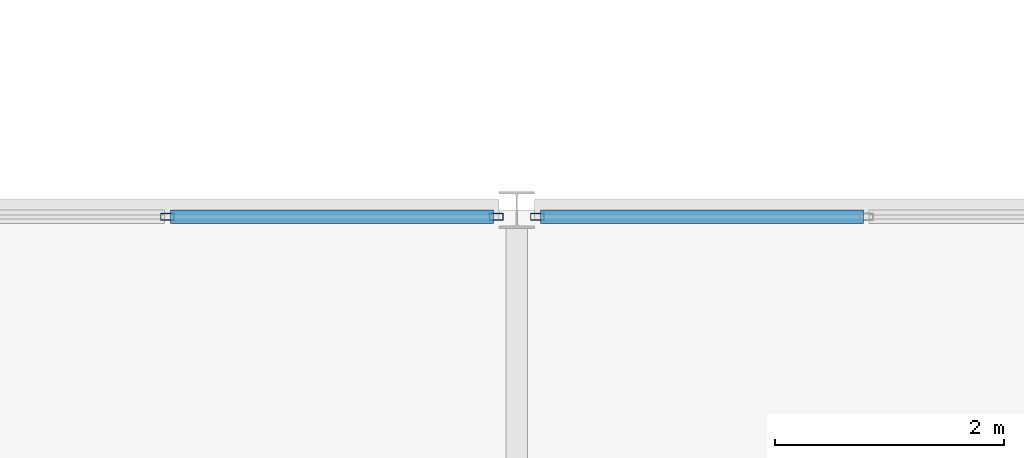
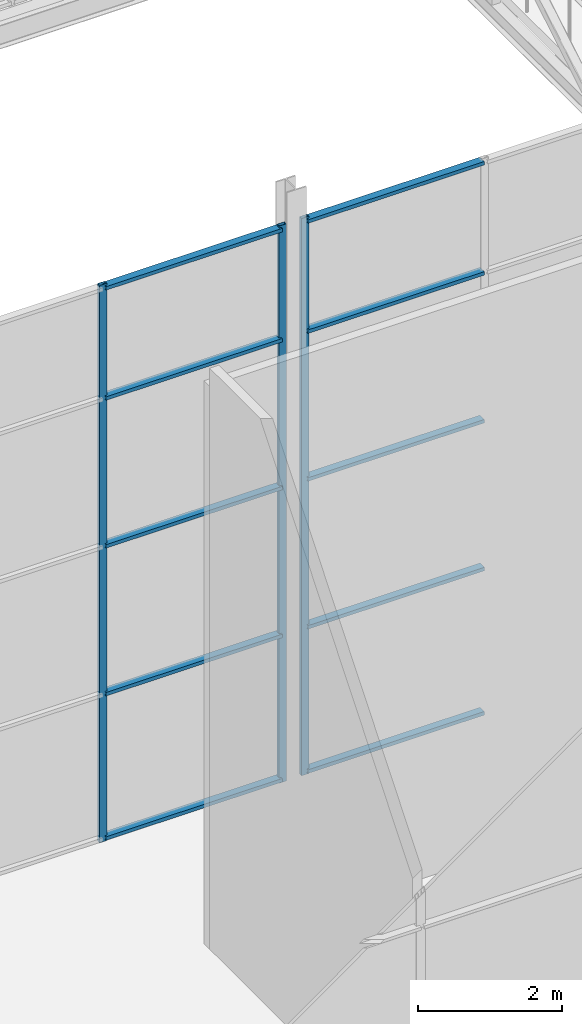
# One storey, part 17 of 111: 13 members, 2 elements without a shape of their own.
"""IFC4 building model written with IfcOpenShell, lengths in metres."""

from ifc_helpers import new_model, si_unit, direction, frame, origin, origin_2d, place, context, subcontext, project, spatial, hollow_rectangle, extrude, material, layer, layer_set, material_profile, profile_set, type_object, element, aggregate, save


model = new_model("IFC4")

# Units and contexts
model_context = context("Model", 3, precision=1e-05, world=origin(), true_north=direction((0.0, 1.0)))
body_context = subcontext(model_context, "Body", "Model", "MODEL_VIEW")
ifc_project = project(units=[si_unit("LENGTHUNIT", "METRE"), si_unit("AREAUNIT", "SQUARE_METRE"), si_unit("VOLUMEUNIT", "CUBIC_METRE"), si_unit("PLANEANGLEUNIT", "RADIAN"), si_unit("MASSUNIT", "GRAM", prefix="KILO")], contexts=[model_context])

# Site, building, storey
site_placement = place(None, origin())
site = spatial("IfcSite", under=ifc_project, at=site_placement, CompositionType="ELEMENT")
building_placement = place(site_placement, origin())
building = spatial("IfcBuilding", under=site, at=building_placement, Name="Shorebreak Coast Museum", CompositionType="ELEMENT")
storey_placement = place(building_placement, frame((0.0, 0.0, 16.0)))
storey = spatial("IfcBuildingStorey", under=building, at=storey_placement, Name="L03", CompositionType="ELEMENT", Elevation=16.0)

# Curtain wall, members
ifc_material_1 = material(Name="Aluminium", Category="aluminium")
ifc_layer = layer(ifc_material_1, 0.1201171875)
ifc_layer_set = layer_set([ifc_layer], Name="Aluminium")
curtain_wall_type = type_object("IfcCurtainWallType", Name="Atrium fire screen", PredefinedType="NOTDEFINED", material=ifc_layer_set)
curtain_wall_1_placement = place(storey_placement, origin())
curtain_wall_1 = element("IfcCurtainWall", 1, at=curtain_wall_1_placement, inside=storey, type_object=curtain_wall_type, Name="Atrium screen L03 S 33", PredefinedType="NOTDEFINED")
ifc_material_2 = material(Name="Aluminium", Category="aluminium")
ifc_material_profile_1 = material_profile(ifc_material_2, hollow_rectangle(XDim=0.06005859375, YDim=0.1201171875, WallThickness=0.00341796875, at=origin_2d()), Name="AL 120x60 RHS")
ifc_profile_set_1 = profile_set([ifc_material_profile_1], Name="Aluminium")
member_type_1 = type_object("IfcMemberType", Name="Screen mullion 50 x 120", PredefinedType="MULLION", material=ifc_profile_set_1)
member_1_placement = place(storey_placement, frame((68.948486328125, 62.93994140625, 0.0), z_axis=(0.0, 0.0, 1.0), x_axis=(0.0, 1.0, 0.0)))
member_1 = element("IfcMember", 2, at=member_1_placement, type_object=member_type_1, Name="CW4 mullion 3", PredefinedType="MULLION", context=body_context, shape_type="SweptSolid", body=[
    extrude(hollow_rectangle(XDim=0.06005859375, YDim=0.1201171875, WallThickness=0.00341796875, at=origin_2d()), origin(), (0.0, 0.0, 1.0), 9.42236328125),
])
member_2_placement = place(storey_placement, frame((71.820556640625, 62.93994140625, 0.0), z_axis=(0.0, 0.0, 1.0), x_axis=(0.0, 1.0, 0.0)))
member_2 = element("IfcMember", 3, at=member_2_placement, type_object=member_type_1, Name="CW4 mullion 4", PredefinedType="MULLION", context=body_context, shape_type="SweptSolid", body=[
    extrude(hollow_rectangle(XDim=0.06005859375, YDim=0.1201171875, WallThickness=0.00341796875, at=origin_2d()), origin(), (0.0, 0.0, 1.0), 9.42236328125),
])

# Curtain wall, member
curtain_wall_2_placement = place(storey_placement, origin())
curtain_wall_2 = element("IfcCurtainWall", 4, at=curtain_wall_2_placement, inside=storey, type_object=curtain_wall_type, Name="Atrium screen L03 S 34", PredefinedType="NOTDEFINED")
member_3_placement = place(storey_placement, frame((72.179443359375, 62.93994140625, 0.0), z_axis=(0.0, 0.0, 1.0), x_axis=(0.0, 1.0, 0.0)))
member_3 = element("IfcMember", 5, at=member_3_placement, type_object=member_type_1, Name="CW5 mullion 1", PredefinedType="MULLION", context=body_context, shape_type="SweptSolid", body=[
    extrude(hollow_rectangle(XDim=0.06005859375, YDim=0.1201171875, WallThickness=0.00341796875, at=origin_2d()), origin(), (0.0, 0.0, 1.0), 9.42236328125),
])

# Member
ifc_material_3 = material(Name="Aluminium", Category="aluminium")
ifc_material_profile_2 = material_profile(ifc_material_3, hollow_rectangle(XDim=0.1201171875, YDim=0.06005859375, WallThickness=0.00341796875, at=origin_2d()), Name="AL 60x120 RHS")
ifc_profile_set_2 = profile_set([ifc_material_profile_2], Name="Aluminium")
member_type_2 = type_object("IfcMemberType", Name="Screen transom 120 x 50", PredefinedType="USERDEFINED", material=ifc_profile_set_2)
member_4_placement = place(storey_placement, frame((68.973388671875, 62.93994140625, 0.06005859375), z_axis=(1.0, 0.0, 0.0), x_axis=(0.0, 1.0, 0.0)))
member_4 = element("IfcMember", 6, at=member_4_placement, type_object=member_type_2, Name="CW4 transom 3.1", ObjectType="TRANSOM", PredefinedType="USERDEFINED", context=body_context, shape_type="SweptSolid", body=[
    extrude(hollow_rectangle(XDim=0.1201171875, YDim=0.06005859375, WallThickness=0.00341796875, at=origin_2d()), origin(), (0.0, 0.0, 1.0), 2.822021484375),
])

member_5_placement = place(storey_placement, frame((68.973388671875, 62.93994140625, 2.5), z_axis=(1.0, 0.0, 0.0), x_axis=(0.0, 1.0, 0.0)))
member_5 = element("IfcMember", 7, at=member_5_placement, type_object=member_type_2, Name="CW4 transom 3.2", ObjectType="TRANSOM", PredefinedType="USERDEFINED", context=body_context, shape_type="SweptSolid", body=[
    extrude(hollow_rectangle(XDim=0.1201171875, YDim=0.06005859375, WallThickness=0.00341796875, at=origin_2d()), origin(), (0.0, 0.0, 1.0), 2.822021484375),
])

member_6_placement = place(storey_placement, frame((68.973388671875, 62.93994140625, 5.0), z_axis=(1.0, 0.0, 0.0), x_axis=(0.0, 1.0, 0.0)))
member_6 = element("IfcMember", 8, at=member_6_placement, type_object=member_type_2, Name="CW4 transom 3.3", ObjectType="TRANSOM", PredefinedType="USERDEFINED", context=body_context, shape_type="SweptSolid", body=[
    extrude(hollow_rectangle(XDim=0.1201171875, YDim=0.06005859375, WallThickness=0.00341796875, at=origin_2d()), origin(), (0.0, 0.0, 1.0), 2.822021484375),
])

member_7_placement = place(storey_placement, frame((68.973388671875, 62.93994140625, 7.5), z_axis=(1.0, 0.0, 0.0), x_axis=(0.0, 1.0, 0.0)))
member_7 = element("IfcMember", 9, at=member_7_placement, type_object=member_type_2, Name="CW4 transom 3.4", ObjectType="TRANSOM", PredefinedType="USERDEFINED", context=body_context, shape_type="SweptSolid", body=[
    extrude(hollow_rectangle(XDim=0.1201171875, YDim=0.06005859375, WallThickness=0.00341796875, at=origin_2d()), origin(), (0.0, 0.0, 1.0), 2.822021484375),
])

member_8_placement = place(storey_placement, frame((68.973388671875, 62.93994140625, 9.3623046875), z_axis=(1.0, 0.0, 0.0), x_axis=(0.0, 1.0, 0.0)))
member_8 = element("IfcMember", 10, at=member_8_placement, type_object=member_type_2, Name="CW4 transom 3.5", ObjectType="TRANSOM", PredefinedType="USERDEFINED", context=body_context, shape_type="SweptSolid", body=[
    extrude(hollow_rectangle(XDim=0.1201171875, YDim=0.06005859375, WallThickness=0.00341796875, at=origin_2d()), origin(), (0.0, 0.0, 1.0), 2.822021484375),
])

aggregate(curtain_wall_1, [member_1, member_2, member_4, member_5, member_6, member_7, member_8])

member_9_placement = place(storey_placement, frame((72.20458984375, 62.93994140625, 0.06005859375), z_axis=(1.0, 0.0, 0.0), x_axis=(0.0, 1.0, 0.0)))
member_9 = element("IfcMember", 11, at=member_9_placement, type_object=member_type_2, Name="CW5 transom 1.1", ObjectType="TRANSOM", PredefinedType="USERDEFINED", context=body_context, shape_type="SweptSolid", body=[
    extrude(hollow_rectangle(XDim=0.1201171875, YDim=0.06005859375, WallThickness=0.00341796875, at=origin_2d()), origin(), (0.0, 0.0, 1.0), 2.822021484375),
])

member_10_placement = place(storey_placement, frame((72.20458984375, 62.93994140625, 2.5), z_axis=(1.0, 0.0, 0.0), x_axis=(0.0, 1.0, 0.0)))
member_10 = element("IfcMember", 12, at=member_10_placement, type_object=member_type_2, Name="CW5 transom 1.2", ObjectType="TRANSOM", PredefinedType="USERDEFINED", context=body_context, shape_type="SweptSolid", body=[
    extrude(hollow_rectangle(XDim=0.1201171875, YDim=0.06005859375, WallThickness=0.00341796875, at=origin_2d()), origin(), (0.0, 0.0, 1.0), 2.822021484375),
])

member_11_placement = place(storey_placement, frame((72.20458984375, 62.93994140625, 5.0), z_axis=(1.0, 0.0, 0.0), x_axis=(0.0, 1.0, 0.0)))
member_11 = element("IfcMember", 13, at=member_11_placement, type_object=member_type_2, Name="CW5 transom 1.3", ObjectType="TRANSOM", PredefinedType="USERDEFINED", context=body_context, shape_type="SweptSolid", body=[
    extrude(hollow_rectangle(XDim=0.1201171875, YDim=0.06005859375, WallThickness=0.00341796875, at=origin_2d()), origin(), (0.0, 0.0, 1.0), 2.822021484375),
])

member_12_placement = place(storey_placement, frame((72.20458984375, 62.93994140625, 7.5), z_axis=(1.0, 0.0, 0.0), x_axis=(0.0, 1.0, 0.0)))
member_12 = element("IfcMember", 14, at=member_12_placement, type_object=member_type_2, Name="CW5 transom 1.4", ObjectType="TRANSOM", PredefinedType="USERDEFINED", context=body_context, shape_type="SweptSolid", body=[
    extrude(hollow_rectangle(XDim=0.1201171875, YDim=0.06005859375, WallThickness=0.00341796875, at=origin_2d()), origin(), (0.0, 0.0, 1.0), 2.822021484375),
])

member_13_placement = place(storey_placement, frame((72.20458984375, 62.93994140625, 9.3623046875), z_axis=(1.0, 0.0, 0.0), x_axis=(0.0, 1.0, 0.0)))
member_13 = element("IfcMember", 15, at=member_13_placement, type_object=member_type_2, Name="CW5 transom 1.5", ObjectType="TRANSOM", PredefinedType="USERDEFINED", context=body_context, shape_type="SweptSolid", body=[
    extrude(hollow_rectangle(XDim=0.1201171875, YDim=0.06005859375, WallThickness=0.00341796875, at=origin_2d()), origin(), (0.0, 0.0, 1.0), 2.822021484375),
])

aggregate(curtain_wall_2, [member_3, member_9, member_10, member_11, member_12, member_13])

save(model, "model.ifc")
